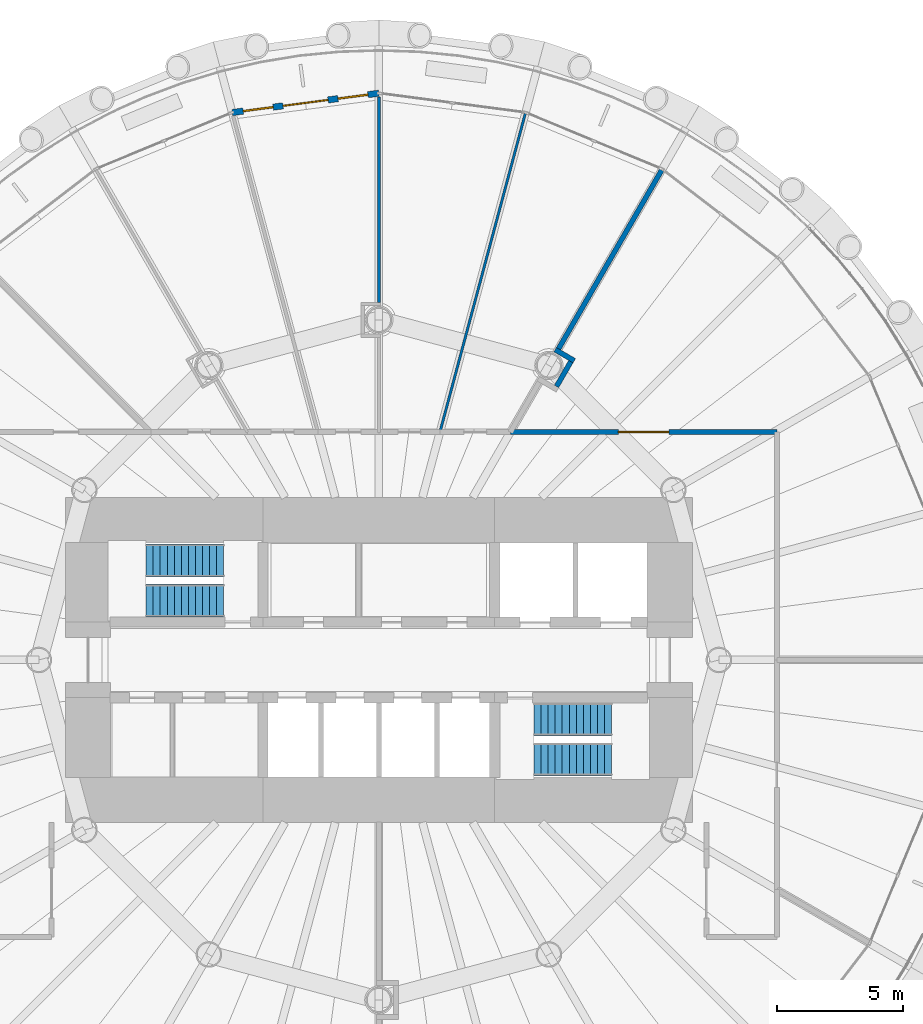
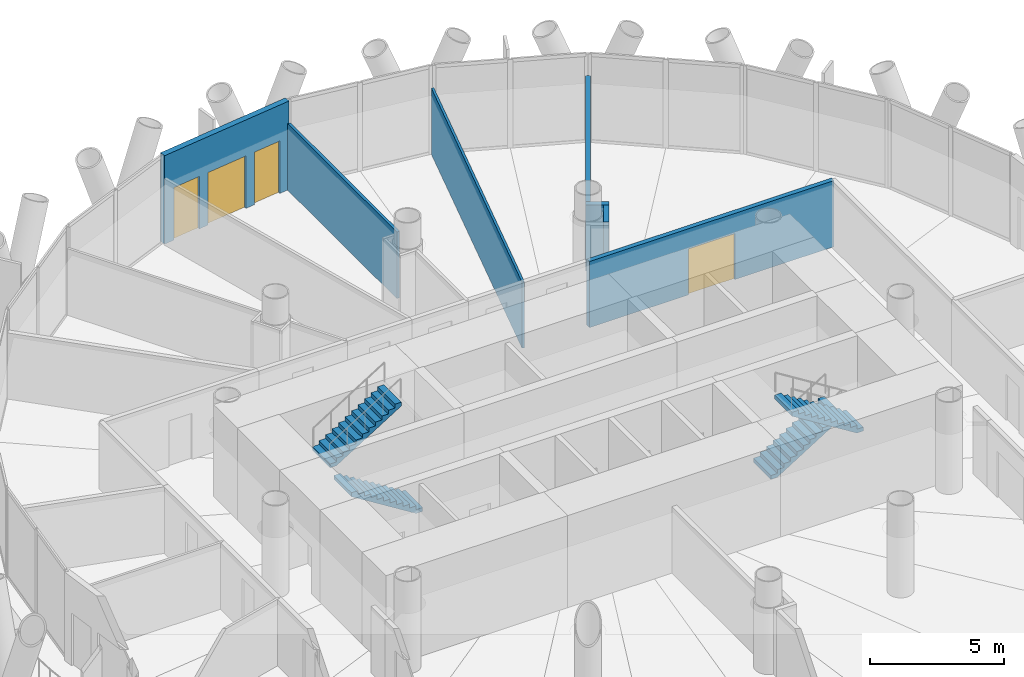
# One storey, part 11 of 15: 7 walls, 4 stair flights, 2 doors, 2 windows, 4 openings, 2 elements without a shape of their own.
"""IFC4 building model written with IfcOpenShell, lengths in metres."""

from ifc_helpers import new_model, si_unit, direction, frame, frame_2d, origin, place, context, subcontext, project, spatial, polyline, rectangle, outline, extrude, material, layer, layer_set, type_object, element, fill, aggregate, save


model = new_model("IFC4")

# Units and contexts
model_context = context("Model", 3, precision=1e-05, world=origin(), true_north=direction((0.0, 1.0)))
body_context = subcontext(model_context, "Body", "Model", "MODEL_VIEW")
ifc_project = project(units=[si_unit("LENGTHUNIT", "METRE"), si_unit("AREAUNIT", "SQUARE_METRE"), si_unit("VOLUMEUNIT", "CUBIC_METRE"), si_unit("PLANEANGLEUNIT", "RADIAN"), si_unit("MASSUNIT", "GRAM", prefix="KILO")], contexts=[model_context])

# Site, building, storey
site_placement = place(None, origin())
site = spatial("IfcSite", under=ifc_project, at=site_placement, CompositionType="ELEMENT")
building_placement = place(site_placement, origin())
building = spatial("IfcBuilding", under=site, at=building_placement, Name="Qaws Media Tower", CompositionType="ELEMENT")
storey_placement = place(building_placement, frame((0.0, 0.0, 143.60009765625)))
storey = spatial("IfcBuildingStorey", under=building, at=storey_placement, Name="L32", CompositionType="ELEMENT", Elevation=143.60009765625)

# Wall, openings, door, windows
ifc_material_1 = material(Name="Precast concrete, exposed finish", Category="concrete")
ifc_layer_1 = layer(ifc_material_1, 0.25)
ifc_layer_set_1 = layer_set([ifc_layer_1], Name="Balcony door wall 250")
wall_type_1 = type_object("IfcWallType", Name="Balcony door wall 250", PredefinedType="SOLIDWALL", material=ifc_layer_set_1)
wall_1_placement = place(storey_placement, frame((60.0, 72.5, 0.0), z_axis=(0.0, 0.0, 1.0), x_axis=(-0.991446512747, -0.13051364818, 0.0)))
wall_1 = element("IfcWall", 1, at=wall_1_placement, inside=storey, type_object=wall_type_1, Name="W135 EW1 balcony door wall L32-07", PredefinedType="SOLIDWALL", context=body_context, shape_type="SweptSolid", body=[
    extrude(rectangle(XDim=5.873779296875, YDim=0.25, at=frame_2d((2.93701171875, 0.0))), origin(), (0.0, 0.0, 1.0), 4.039794921875),
])
opening_1_placement = place(wall_1_placement, frame((2.036865234375, 0.0, 0.0)))
opening_1 = element("IfcOpeningElement", 2, at=opening_1_placement, cuts=wall_1, Name="Opening D7", PredefinedType="OPENING", context=body_context, shape_type="SweptSolid", body=[
    extrude(rectangle(XDim=1.800048828125, YDim=2.39990234375, at=frame_2d((0.89990234375, 1.199951171875))), frame((0.0, 0.135009765625, 0.0), z_axis=(0.0, -1.0, 0.0), x_axis=(1.0, 0.0, 0.0)), (0.0, 0.0, 1.0), 0.27001953125),
])
opening_2_placement = place(wall_1_placement, frame((0.436767578125, 0.0, 0.0)))
opening_2 = element("IfcOpeningElement", 3, at=opening_2_placement, cuts=wall_1, Name="Opening W1", PredefinedType="OPENING", context=body_context, shape_type="SweptSolid", body=[
    extrude(rectangle(XDim=1.199951171875, YDim=2.39990234375, at=frame_2d((0.60009765625, 1.199951171875))), frame((0.0, 0.135009765625, 0.0), z_axis=(0.0, -1.0, 0.0), x_axis=(1.0, 0.0, 0.0)), (0.0, 0.0, 1.0), 0.27001953125),
])
opening_3_placement = place(wall_1_placement, frame((4.23681640625, 0.0, 0.0)))
opening_3 = element("IfcOpeningElement", 4, at=opening_3_placement, cuts=wall_1, Name="Opening W1", PredefinedType="OPENING", context=body_context, shape_type="SweptSolid", body=[
    extrude(rectangle(XDim=1.199951171875, YDim=2.39990234375, at=frame_2d((0.60009765625, 1.199951171875))), frame((0.0, 0.135009765625, 0.0), z_axis=(0.0, -1.0, 0.0), x_axis=(1.0, 0.0, 0.0)), (0.0, 0.0, 1.0), 0.27001953125),
])
ifc_material_2 = material(Name="Aluminium and clear glass", Category="aluminium")
door_type_1 = type_object("IfcDoorType", Name="Balcony door pair 1800", OperationType="DOUBLE_DOOR_SLIDING", PredefinedType="DOOR", material=ifc_material_2)
door_1_placement = place(opening_1_placement, origin())
door_1 = element("IfcDoor", 5, at=door_1_placement, inside=storey, type_object=door_type_1, Name="D7 balcony door L32-07 in wall W135", OperationType="DOUBLE_DOOR_SLIDING", OverallHeight=2.39990234375, OverallWidth=1.800048828125, PredefinedType="DOOR", context=body_context, shape_type="SweptSolid", body=[
    extrude(rectangle(XDim=1.800048828125, YDim=2.39990234375, at=frame_2d((0.89990234375, 1.199951171875))), frame((0.0, 0.02490234375, 0.0), z_axis=(0.0, -1.0, 0.0), x_axis=(1.0, 0.0, 0.0)), (0.0, 0.0, 1.0), 0.050048828125),
])
fill(opening_1, door_1)
ifc_material_3 = material(Name="Aluminium and clear glass", Category="aluminium")
window_type = type_object("IfcWindowType", Name="Balcony side window 1200", PartitioningType="SINGLE_PANEL", PredefinedType="WINDOW", material=ifc_material_3)
window_1_placement = place(opening_2_placement, origin())
window_1 = element("IfcWindow", 6, at=window_1_placement, inside=storey, type_object=window_type, Name="W1 balcony side light L32-07L", OverallHeight=2.39990234375, OverallWidth=1.199951171875, PartitioningType="SINGLE_PANEL", PredefinedType="WINDOW", context=body_context, shape_type="SweptSolid", body=[
    extrude(rectangle(XDim=1.199951171875, YDim=2.39990234375, at=frame_2d((0.60009765625, 1.199951171875))), frame((0.0, 0.030029296875, 0.0), z_axis=(0.0, -1.0, 0.0), x_axis=(1.0, 0.0, 0.0)), (0.0, 0.0, 1.0), 0.06005859375),
])
fill(opening_2, window_1)
window_2_placement = place(opening_3_placement, origin())
window_2 = element("IfcWindow", 7, at=window_2_placement, inside=storey, type_object=window_type, Name="W1 balcony side light L32-07R", OverallHeight=2.39990234375, OverallWidth=1.199951171875, PartitioningType="SINGLE_PANEL", PredefinedType="WINDOW", context=body_context, shape_type="SweptSolid", body=[
    extrude(rectangle(XDim=1.199951171875, YDim=2.39990234375, at=frame_2d((0.60009765625, 1.199951171875))), frame((0.0, 0.030029296875, 0.0), z_axis=(0.0, -1.0, 0.0), x_axis=(1.0, 0.0, 0.0)), (0.0, 0.0, 1.0), 0.06005859375),
])
fill(opening_3, window_2)

# Walls
ifc_material_4 = material(Name="Two layers gypsum board each side on 75 studs, insulated", Category="gypsum")
ifc_layer_2 = layer(ifc_material_4, 0.125)
ifc_layer_set_2 = layer_set([ifc_layer_2], Name="Meeting room partition 125 Rw 48")
wall_type_2 = type_object("IfcWallType", Name="Meeting room partition 125 Rw 48", PredefinedType="PARTITIONING", material=ifc_layer_set_2)
wall_2_placement = place(storey_placement, frame((60.0, 64.193115234375, 0.0), z_axis=(0.0, 0.0, 1.0), x_axis=(0.0, 1.0, 0.0)))
element("IfcWall", 8, at=wall_2_placement, inside=storey, type_object=wall_type_2, Name="W559 IW5 partition L32", PredefinedType="PARTITIONING", context=body_context, shape_type="SweptSolid", body=[
    extrude(rectangle(XDim=8.1669921875, YDim=0.125, at=frame_2d((4.08349609375, 0.0))), origin(), (0.0, 0.0, 1.0), 3.039794921875),
])
ifc_material_5 = material(Name="Gypsum board on 70 metal studs, single layer each side", Category="gypsum")
ifc_layer_3 = layer(ifc_material_5, 0.10009765625)
ifc_layer_set_3 = layer_set([ifc_layer_3], Name="Office stud partition 100")
wall_type_3 = type_object("IfcWallType", Name="Office stud partition 100", PredefinedType="PARTITIONING", material=ifc_layer_set_3)
wall_3_placement = place(storey_placement, frame((62.422607421875, 59.041015625, 0.0), z_axis=(0.0, 0.0, 1.0), x_axis=(0.258809678054, 0.965928336133, 0.0)))
element("IfcWall", 9, at=wall_3_placement, inside=storey, type_object=wall_type_3, Name="W682 IW4 partition L32", PredefinedType="PARTITIONING", context=body_context, shape_type="SweptSolid", body=[
    extrude(rectangle(XDim=13.099853515625, YDim=0.10009765625, at=frame_2d((6.5498046875, 0.0))), origin(), (0.0, 0.0, 1.0), 3.02001953125),
])

# Wall, opening, door
ifc_material_6 = material(Name="Gypsum board on galvanised metal studs, acoustic double stud, deflection head", Category="gypsum")
ifc_layer_4 = layer(ifc_material_6, 0.199951171875)
ifc_layer_set_4 = layer_set([ifc_layer_4], Name="Room partition 200")
wall_type_4 = type_object("IfcWallType", Name="Room partition 200", PredefinedType="PARTITIONING", material=ifc_layer_set_4)
wall_4_placement = place(storey_placement, frame((65.22509765625, 59.050048828125, 0.0), z_axis=(0.0, 0.0, 1.0), x_axis=(1.0, 0.0, 0.0)))
wall_4 = element("IfcWall", 10, at=wall_4_placement, inside=storey, type_object=wall_type_4, Name="W1293 IW3 partition L32", PredefinedType="PARTITIONING", context=body_context, shape_type="SweptSolid", body=[
    extrude(rectangle(XDim=10.574951171875, YDim=0.199951171875, at=frame_2d((5.28759765625, 0.0))), origin(), (0.0, 0.0, 1.0), 3.02001953125),
])
opening_4_placement = place(wall_4_placement, frame((4.28759765625, 0.0, 0.0)))
opening_4 = element("IfcOpeningElement", 11, at=opening_4_placement, cuts=wall_4, Name="Opening D6", PredefinedType="OPENING", context=body_context, shape_type="SweptSolid", body=[
    extrude(rectangle(XDim=2.0, YDim=2.10009765625, at=frame_2d((1.0, 1.050048828125))), frame((0.0, 0.10986328125, 0.0), z_axis=(0.0, -1.0, 0.0), x_axis=(1.0, 0.0, 0.0)), (0.0, 0.0, 1.0), 0.219970703125),
])
ifc_material_7 = material(Name="Steel, acoustic, fire rated", Category="steel")
door_type_2 = type_object("IfcDoorType", Name="Room door pair 2000", OperationType="DOUBLE_DOOR_DOUBLE_SWING", PredefinedType="DOOR", material=ifc_material_7)
door_2_placement = place(opening_4_placement, origin())
door_2 = element("IfcDoor", 12, at=door_2_placement, inside=storey, type_object=door_type_2, Name="D6 Paralegal office door L32 in wall W1293", OperationType="DOUBLE_DOOR_DOUBLE_SWING", OverallHeight=2.10009765625, OverallWidth=2.0, PredefinedType="DOOR", context=body_context, shape_type="SweptSolid", body=[
    extrude(rectangle(XDim=2.0, YDim=2.10009765625, at=frame_2d((1.0, 1.050048828125))), frame((0.0, 0.02490234375, 0.0), z_axis=(0.0, -1.0, 0.0), x_axis=(1.0, 0.0, 0.0)), (0.0, 0.0, 1.0), 0.050048828125),
])
fill(opening_4, door_2)

# Walls
wall_5_placement = place(storey_placement, frame((66.997314453125, 62.31982421875, 0.0), z_axis=(0.0, 0.0, 1.0), x_axis=(0.86607910459, -0.49990697594, 0.0)))
element("IfcWall", 13, at=wall_5_placement, inside=storey, type_object=wall_type_4, Name="W1295 IW3 partition return L32", PredefinedType="PARTITIONING", context=body_context, shape_type="SweptSolid", body=[
    extrude(rectangle(XDim=0.878173828125, YDim=0.199951171875, at=frame_2d((0.43896484375, 0.0))), origin(), (0.0, 0.0, 1.0), 3.02001953125),
])
wall_6_placement = place(storey_placement, frame((67.05322265625, 60.8603515625, 0.0), z_axis=(0.0, 0.0, 1.0), x_axis=(0.499883687939, 0.866092546171, 0.0)))
element("IfcWall", 14, at=wall_6_placement, inside=storey, type_object=wall_type_4, Name="W1296 IW3 partition return L32", PredefinedType="PARTITIONING", context=body_context, shape_type="SweptSolid", body=[
    extrude(rectangle(XDim=1.135986328125, YDim=0.199951171875, at=frame_2d((0.56787109375, 0.0))), origin(), (0.0, 0.0, 1.0), 3.02001953125),
])
wall_7_placement = place(storey_placement, frame((67.134033203125, 62.3564453125, 0.0), z_axis=(0.0, 0.0, 1.0), x_axis=(0.499995049684, 0.866028261832, 0.0)))
element("IfcWall", 15, at=wall_7_placement, inside=storey, type_object=wall_type_4, Name="W1311 IW3 partition L32", PredefinedType="PARTITIONING", context=body_context, shape_type="SweptSolid", body=[
    extrude(rectangle(XDim=8.19189453125, YDim=0.199951171875, at=frame_2d((4.095947265625, 0.0))), origin(), (0.0, 0.0, 1.0), 3.039794921875),
])

# Stair, stair flights
ifc_material_8 = material(Name="Concrete C40/50", Category="concrete")
stair_type = type_object("IfcStairType", Name="Exit stair", PredefinedType="HALF_TURN_STAIR", material=ifc_material_8)
stair_1_placement = place(storey_placement, origin())
stair_1 = element("IfcStair", 16, at=stair_1_placement, inside=storey, type_object=stair_type, Name="S1 exit stair L32", PredefinedType="HALF_TURN_STAIR")
ifc_material_9 = material(Name="Concrete C40/50", Category="concrete")
stair_flight_type = type_object("IfcStairFlightType", Name="Stair flight 1310", PredefinedType="STRAIGHT", material=ifc_material_9)
stair_flight_1_placement = place(storey_placement, frame((53.840087890625, 52.35498046875, 0.0), z_axis=(0.0, 0.0, 1.0), x_axis=(-1.0, 0.0, 0.0)))
stair_flight_1 = element("IfcStairFlight", 17, at=stair_flight_1_placement, type_object=stair_flight_type, Name="S1 flight 1", NumberOfRisers=12, NumberOfTreads=11, PredefinedType="STRAIGHT", RiserHeight=0.175, TreadLength=0.28, context=body_context, shape_type="SweptSolid", body=[
    extrude(outline(polyline([(0.0, 0.0), (0.0, 0.175048828125), (0.280029296875, 0.175048828125), (0.280029296875, 0.35009765625), (0.56005859375, 0.35009765625), (0.56005859375, 0.52490234375), (0.840087890625, 0.52490234375), (0.840087890625, 0.699951171875), (1.1201171875, 0.699951171875), (1.1201171875, 0.875), (1.39990234375, 0.875), (1.39990234375, 1.050048828125), (1.679931640625, 1.050048828125), (1.679931640625, 1.22509765625), (1.9599609375, 1.22509765625), (1.9599609375, 1.39990234375), (2.239990234375, 1.39990234375), (2.239990234375, 1.574951171875), (2.52001953125, 1.574951171875), (2.52001953125, 1.75), (2.800048828125, 1.75), (2.800048828125, 1.925048828125), (3.080078125, 1.925048828125), (3.080078125, 2.10009765625), (3.080078125, 1.748291015625), (0.28271484375, 0.0), (0.0, 0.0)])), frame((0.0, 0.655029296875, 0.0), z_axis=(0.0, -1.0, 0.0), x_axis=(1.0, 0.0, 0.0)), (0.0, 0.0, 1.0), 1.31005859375),
])
stair_flight_2_placement = place(storey_placement, frame((50.760009765625, 53.945068359375, 2.099853515625), z_axis=(0.0, 0.0, 1.0), x_axis=(1.0, 0.0, 0.0)))
stair_flight_2 = element("IfcStairFlight", 18, at=stair_flight_2_placement, type_object=stair_flight_type, Name="S1 flight 2", NumberOfRisers=12, NumberOfTreads=11, PredefinedType="STRAIGHT", RiserHeight=0.175, TreadLength=0.28, context=body_context, shape_type="SweptSolid", body=[
    extrude(outline(polyline([(0.0, 0.0), (0.0, 0.175048828125), (0.280029296875, 0.175048828125), (0.280029296875, 0.35009765625), (0.56005859375, 0.35009765625), (0.56005859375, 0.52490234375), (0.840087890625, 0.52490234375), (0.840087890625, 0.699951171875), (1.1201171875, 0.699951171875), (1.1201171875, 0.875), (1.39990234375, 0.875), (1.39990234375, 1.050048828125), (1.679931640625, 1.050048828125), (1.679931640625, 1.22509765625), (1.9599609375, 1.22509765625), (1.9599609375, 1.39990234375), (2.239990234375, 1.39990234375), (2.239990234375, 1.574951171875), (2.52001953125, 1.574951171875), (2.52001953125, 1.75), (2.800048828125, 1.75), (2.800048828125, 1.925048828125), (3.080078125, 1.925048828125), (3.080078125, 2.10009765625), (3.080078125, 1.748291015625), (0.28271484375, 0.0), (0.0, 0.0)])), frame((0.0, 0.655029296875, 0.0), z_axis=(0.0, -1.0, 0.0), x_axis=(1.0, 0.0, 0.0)), (0.0, 0.0, 1.0), 1.31005859375),
])
aggregate(stair_1, [stair_flight_1, stair_flight_2])

stair_2_placement = place(storey_placement, origin())
stair_2 = element("IfcStair", 19, at=stair_2_placement, inside=storey, type_object=stair_type, Name="S2 exit stair L32", PredefinedType="HALF_TURN_STAIR")
stair_flight_3_placement = place(storey_placement, frame((66.159912109375, 47.64501953125, 0.0), z_axis=(0.0, 0.0, 1.0), x_axis=(1.0, 0.0, 0.0)))
stair_flight_3 = element("IfcStairFlight", 20, at=stair_flight_3_placement, type_object=stair_flight_type, Name="S2 flight 1", NumberOfRisers=12, NumberOfTreads=11, PredefinedType="STRAIGHT", RiserHeight=0.175, TreadLength=0.28, context=body_context, shape_type="SweptSolid", body=[
    extrude(outline(polyline([(0.0, 0.0), (0.0, 0.175048828125), (0.280029296875, 0.175048828125), (0.280029296875, 0.35009765625), (0.56005859375, 0.35009765625), (0.56005859375, 0.52490234375), (0.840087890625, 0.52490234375), (0.840087890625, 0.699951171875), (1.1201171875, 0.699951171875), (1.1201171875, 0.875), (1.39990234375, 0.875), (1.39990234375, 1.050048828125), (1.679931640625, 1.050048828125), (1.679931640625, 1.22509765625), (1.9599609375, 1.22509765625), (1.9599609375, 1.39990234375), (2.239990234375, 1.39990234375), (2.239990234375, 1.574951171875), (2.52001953125, 1.574951171875), (2.52001953125, 1.75), (2.800048828125, 1.75), (2.800048828125, 1.925048828125), (3.080078125, 1.925048828125), (3.080078125, 2.10009765625), (3.080078125, 1.748291015625), (0.28271484375, 0.0), (0.0, 0.0)])), frame((0.0, 0.655029296875, 0.0), z_axis=(0.0, -1.0, 0.0), x_axis=(1.0, 0.0, 0.0)), (0.0, 0.0, 1.0), 1.31005859375),
])
stair_flight_4_placement = place(storey_placement, frame((69.239990234375, 46.054931640625, 2.099853515625), z_axis=(0.0, 0.0, 1.0), x_axis=(-1.0, 0.0, 0.0)))
stair_flight_4 = element("IfcStairFlight", 21, at=stair_flight_4_placement, type_object=stair_flight_type, Name="S2 flight 2", NumberOfRisers=12, NumberOfTreads=11, PredefinedType="STRAIGHT", RiserHeight=0.175, TreadLength=0.28, context=body_context, shape_type="SweptSolid", body=[
    extrude(outline(polyline([(0.0, 0.0), (0.0, 0.175048828125), (0.280029296875, 0.175048828125), (0.280029296875, 0.35009765625), (0.56005859375, 0.35009765625), (0.56005859375, 0.52490234375), (0.840087890625, 0.52490234375), (0.840087890625, 0.699951171875), (1.1201171875, 0.699951171875), (1.1201171875, 0.875), (1.39990234375, 0.875), (1.39990234375, 1.050048828125), (1.679931640625, 1.050048828125), (1.679931640625, 1.22509765625), (1.9599609375, 1.22509765625), (1.9599609375, 1.39990234375), (2.239990234375, 1.39990234375), (2.239990234375, 1.574951171875), (2.52001953125, 1.574951171875), (2.52001953125, 1.75), (2.800048828125, 1.75), (2.800048828125, 1.925048828125), (3.080078125, 1.925048828125), (3.080078125, 2.10009765625), (3.080078125, 1.748291015625), (0.28271484375, 0.0), (0.0, 0.0)])), frame((0.0, 0.655029296875, 0.0), z_axis=(0.0, -1.0, 0.0), x_axis=(1.0, 0.0, 0.0)), (0.0, 0.0, 1.0), 1.31005859375),
])
aggregate(stair_2, [stair_flight_3, stair_flight_4])

save(model, "model.ifc")
